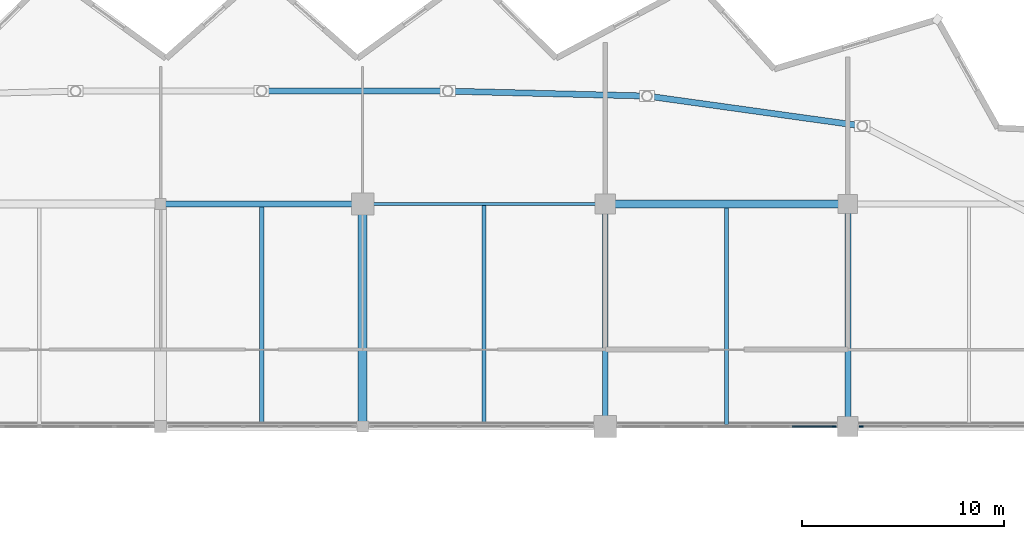
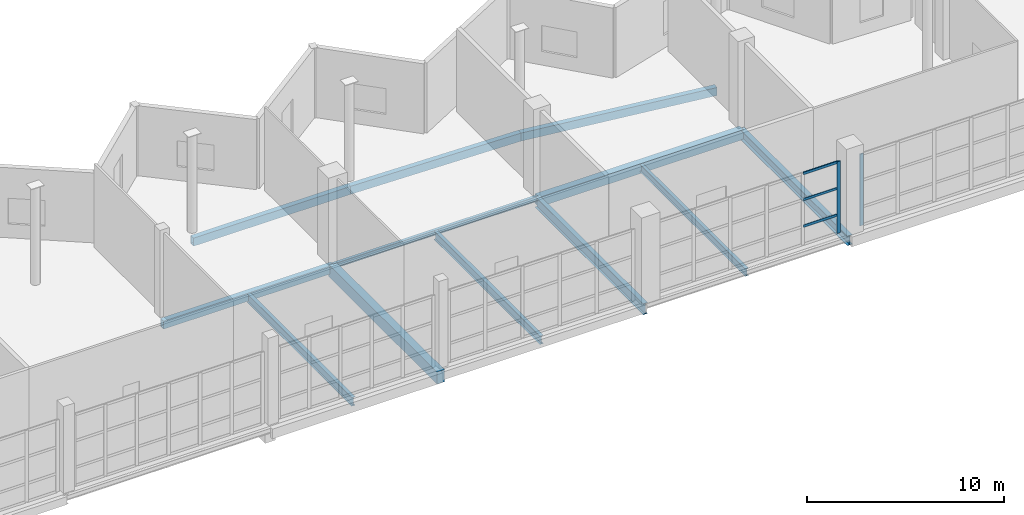
# One storey, part 27 of 49: 12 beams, 5 members, 2 elements without a shape of their own.
"""IFC4 building model written with IfcOpenShell, lengths in metres."""

from ifc_helpers import new_model, si_unit, direction, frame, origin, origin_2d, place, context, subcontext, project, spatial, rectangle, hollow_rectangle, i_section, extrude, material, material_profile, profile_set, type_object, element, aggregate, save


model = new_model("IFC4")

# Units and contexts
model_context = context("Model", 3, precision=1e-05, world=origin(), true_north=direction((0.0, 1.0)))
body_context = subcontext(model_context, "Body", "Model", "MODEL_VIEW")
ifc_project = project(units=[si_unit("LENGTHUNIT", "METRE"), si_unit("AREAUNIT", "SQUARE_METRE"), si_unit("VOLUMEUNIT", "CUBIC_METRE"), si_unit("PLANEANGLEUNIT", "RADIAN"), si_unit("MASSUNIT", "GRAM", prefix="KILO")], contexts=[model_context])

# Site, building, storey
site_placement = place(None, origin())
site = spatial("IfcSite", under=ifc_project, at=site_placement, CompositionType="ELEMENT")
building_placement = place(site_placement, origin())
building = spatial("IfcBuilding", under=site, at=building_placement, Name="Luwafu Chhajja Arena", CompositionType="ELEMENT")
storey_placement = place(building_placement, frame((0.0, 0.0, 24.300048828125)))
storey = spatial("IfcBuildingStorey", under=building, at=storey_placement, Name="L05", CompositionType="ELEMENT", Elevation=24.300048828125)

# Curtain wall, member
ifc_material_1 = material(Name="Anodised bronze aluminium", Category="aluminium")
curtain_wall_type = type_object("IfcCurtainWallType", Name="VIP Club Terrace Curtain Wall", PredefinedType="USERDEFINED", material=ifc_material_1)
curtain_wall_1_placement = place(storey_placement, origin())
curtain_wall_1 = element("IfcCurtainWall", 1, at=curtain_wall_1_placement, inside=storey, type_object=curtain_wall_type, Name="L05 Bowl Viewing Curtain Wall CWR-L05-13", ObjectType="CURTAIN WALL", PredefinedType="USERDEFINED")
ifc_material_profile_1 = material_profile(ifc_material_1, rectangle(XDim=0.06494140625, YDim=0.199951171875, at=origin_2d()), Name="CWM 65x200")
ifc_profile_set_1 = profile_set([ifc_material_profile_1], Name="Anodised bronze aluminium")
member_type_1 = type_object("IfcMemberType", Name="Bronze Curtain Wall Mullion 65x200", PredefinedType="MULLION", material=ifc_profile_set_1)
member_1_placement = place(storey_placement, frame((127.327392578125, 77.0, 0.0), z_axis=(0.0, 0.0, 1.0), x_axis=(0.0, 1.0, 0.0)))
member_1 = element("IfcMember", 2, at=member_1_placement, type_object=member_type_1, Name="CW-10 mullion 6", PredefinedType="MULLION", context=body_context, shape_type="SweptSolid", body=[
    extrude(rectangle(XDim=0.06494140625, YDim=0.199951171875, at=origin_2d()), origin(), (0.0, 0.0, 1.0), 4.449951171875),
])

curtain_wall_2_placement = place(storey_placement, origin())
curtain_wall_2 = element("IfcCurtainWall", 3, at=curtain_wall_2_placement, inside=storey, type_object=curtain_wall_type, Name="L05 Bowl Viewing Curtain Wall CWR-L05-14", ObjectType="CURTAIN WALL", PredefinedType="USERDEFINED")
member_2_placement = place(storey_placement, frame((128.672607421875, 77.0, 0.0), z_axis=(0.0, 0.0, 1.0), x_axis=(0.0, 1.0, 0.0)))
member_2 = element("IfcMember", 4, at=member_2_placement, type_object=member_type_1, Name="CW-10 mullion 1", PredefinedType="MULLION", context=body_context, shape_type="SweptSolid", body=[
    extrude(rectangle(XDim=0.06494140625, YDim=0.199951171875, at=origin_2d()), origin(), (0.0, 0.0, 1.0), 4.449951171875),
])
aggregate(curtain_wall_2, [member_2])

# Member
ifc_material_profile_2 = material_profile(ifc_material_1, rectangle(XDim=0.06494140625, YDim=0.14990234375, at=origin_2d()), Name="CWT 65x150")
ifc_profile_set_2 = profile_set([ifc_material_profile_2], Name="Anodised bronze aluminium")
member_type_2 = type_object("IfcMemberType", Name="Bronze Curtain Wall Transom 65x150", PredefinedType="USERDEFINED", material=ifc_profile_set_2)
member_3_placement = place(storey_placement, frame((125.258544921875, 77.0, 1.14990234375), z_axis=(1.0, 0.0, 0.0), x_axis=(0.0, 1.0, 0.0)))
member_3 = element("IfcMember", 5, at=member_3_placement, type_object=member_type_2, Name="CW-10 transom 5.2", ObjectType="TRANSOM", PredefinedType="USERDEFINED", context=body_context, shape_type="SweptSolid", body=[
    extrude(rectangle(XDim=0.06494140625, YDim=0.14990234375, at=origin_2d()), origin(), (0.0, 0.0, 1.0), 2.036376953125),
])

member_4_placement = place(storey_placement, frame((125.258544921875, 77.0, 2.800048828125), z_axis=(1.0, 0.0, 0.0), x_axis=(0.0, 1.0, 0.0)))
member_4 = element("IfcMember", 6, at=member_4_placement, type_object=member_type_2, Name="CW-10 transom 5.3", ObjectType="TRANSOM", PredefinedType="USERDEFINED", context=body_context, shape_type="SweptSolid", body=[
    extrude(rectangle(XDim=0.06494140625, YDim=0.14990234375, at=origin_2d()), origin(), (0.0, 0.0, 1.0), 2.036376953125),
])

member_5_placement = place(storey_placement, frame((125.258544921875, 77.0, 4.41748046875), z_axis=(1.0, 0.0, 0.0), x_axis=(0.0, 1.0, 0.0)))
member_5 = element("IfcMember", 7, at=member_5_placement, type_object=member_type_2, Name="CW-10 transom 5.4", ObjectType="TRANSOM", PredefinedType="USERDEFINED", context=body_context, shape_type="SweptSolid", body=[
    extrude(rectangle(XDim=0.06494140625, YDim=0.14990234375, at=origin_2d()), origin(), (0.0, 0.0, 1.0), 2.036376953125),
])

aggregate(curtain_wall_1, [member_1, member_3, member_4, member_5])

# Beams
ifc_material_2 = material(Name="Steel S355", Category="steel")
ifc_material_profile_3 = material_profile(ifc_material_2, i_section(OverallWidth=0.165771484375, OverallDepth=0.306640625, WebThickness=0.006591796875, FlangeThickness=0.01171875, at=origin_2d()), Name="UB 305x165x46")
ifc_profile_set_3 = profile_set([ifc_material_profile_3], Name="Steel S355")
beam_type_1 = type_object("IfcBeamType", Name="Concourse Edge Spandrel Beam UB 305x165x46", PredefinedType="SPANDREL", material=ifc_profile_set_3)
beam_1_placement = place(storey_placement, frame((104.0, 88.0, -0.54345703125), z_axis=(1.0, 0.0, 0.0), x_axis=(0.0, 1.0, 0.0)))
element("IfcBeam", 8, at=beam_1_placement, inside=storey, type_object=beam_type_1, Name="L05 Grid Beam 10-11/J", PredefinedType="SPANDREL", context=body_context, shape_type="SweptSolid", body=[
    extrude(i_section(OverallWidth=0.165771484375, OverallDepth=0.306640625, WebThickness=0.006591796875, FlangeThickness=0.01171875, at=origin_2d()), origin(), (0.0, 0.0, 1.0), 12.0),
])
ifc_material_profile_4 = material_profile(ifc_material_2, i_section(OverallWidth=0.19140625, OverallDepth=0.4599609375, WebThickness=0.010009765625, FlangeThickness=0.01611328125, at=origin_2d()), Name="UB 457x191x82")
ifc_profile_set_4 = profile_set([ifc_material_profile_4], Name="Steel S355")
beam_type_2 = type_object("IfcBeamType", Name="Floor Joist UB 457x191x82", PredefinedType="JOIST", material=ifc_profile_set_4)
beam_2_placement = place(storey_placement, frame((122.0, 77.082763671875, -0.6201171875), z_axis=(0.0, 1.0, 0.0), x_axis=(-1.0, 0.0, 0.0)))
element("IfcBeam", 9, at=beam_2_placement, inside=storey, type_object=beam_type_2, Name="L05 Secondary Joist 11-12/H", PredefinedType="JOIST", context=body_context, shape_type="SweptSolid", body=[
    extrude(i_section(OverallWidth=0.19140625, OverallDepth=0.4599609375, WebThickness=0.010009765625, FlangeThickness=0.01611328125, at=origin_2d()), origin(), (0.0, 0.0, 1.0), 10.71728515625),
])
ifc_material_profile_5 = material_profile(ifc_material_2, i_section(OverallWidth=0.2099609375, OverallDepth=0.53662109375, WebThickness=0.0107421875, FlangeThickness=0.017333984375, at=origin_2d()), Name="UB 533x210x101")
ifc_profile_set_5 = profile_set([ifc_material_profile_5], Name="Steel S355")
beam_type_3 = type_object("IfcBeamType", Name="Floor Joist UB 533x210x101", PredefinedType="JOIST", material=ifc_profile_set_5)
beam_3_placement = place(storey_placement, frame((99.0, 77.199951171875, -0.658447265625), z_axis=(0.0, 1.0, 0.0), x_axis=(-1.0, 0.0, 0.0)))
element("IfcBeam", 10, at=beam_3_placement, inside=storey, type_object=beam_type_3, Name="L05 Secondary Joist 9-10/H", PredefinedType="JOIST", context=body_context, shape_type="SweptSolid", body=[
    extrude(i_section(OverallWidth=0.2099609375, OverallDepth=0.53662109375, WebThickness=0.0107421875, FlangeThickness=0.017333984375, at=origin_2d()), origin(), (0.0, 0.0, 1.0), 10.650146484375),
])
ifc_material_profile_6 = material_profile(ifc_material_2, i_section(OverallWidth=0.209228515625, OverallDepth=0.533203125, WebThickness=0.010009765625, FlangeThickness=0.015625, at=origin_2d()), Name="UB 533x210x92")
ifc_profile_set_6 = profile_set([ifc_material_profile_6], Name="Steel S355")
beam_type_4 = type_object("IfcBeamType", Name="Floor Joist UB 533x210x92", PredefinedType="JOIST", material=ifc_profile_set_6)
beam_4_placement = place(storey_placement, frame((110.0, 77.14990234375, -0.656494140625), z_axis=(0.0, 1.0, 0.0), x_axis=(-1.0, 0.0, 0.0)))
element("IfcBeam", 11, at=beam_4_placement, inside=storey, type_object=beam_type_4, Name="L05 Secondary Joist 10-11/H", PredefinedType="JOIST", context=body_context, shape_type="SweptSolid", body=[
    extrude(i_section(OverallWidth=0.209228515625, OverallDepth=0.533203125, WebThickness=0.010009765625, FlangeThickness=0.015625, at=origin_2d()), origin(), (0.0, 0.0, 1.0), 10.767333984375),
])
ifc_material_profile_7 = material_profile(ifc_material_2, hollow_rectangle(XDim=0.300048828125, YDim=0.5, WallThickness=0.02001953125, at=origin_2d()), Name="RHS 500x300x20")
ifc_profile_set_7 = profile_set([ifc_material_profile_7], Name="Steel S355")
beam_type_5 = type_object("IfcBeamType", Name="Pleated Drum Spandrel Beam RHS 500x300", PredefinedType="SPANDREL", material=ifc_profile_set_7)
beam_5_placement = place(storey_placement, frame((94.0, 88.0, -0.64013671875), z_axis=(1.0, 0.0, 0.0), x_axis=(0.0, 1.0, 0.0)))
element("IfcBeam", 12, at=beam_5_placement, inside=storey, type_object=beam_type_5, Name="L05 Grid Beam 9-10/J", PredefinedType="SPANDREL", context=body_context, shape_type="SweptSolid", body=[
    extrude(hollow_rectangle(XDim=0.300048828125, YDim=0.5, WallThickness=0.02001953125, at=origin_2d()), origin(), (0.0, 0.0, 1.0), 10.0),
])
beam_6_placement = place(storey_placement, frame((128.718017578125, 91.86279296875, -0.64013671875), z_axis=(-0.990458730054, 0.137809666058, 0.0), x_axis=(-0.137809666058, -0.990458730054, 0.0)))
element("IfcBeam", 13, at=beam_6_placement, inside=storey, type_object=beam_type_5, Name="L05 Drum Ring Spandrel D06-D07", PredefinedType="SPANDREL", context=body_context, shape_type="SweptSolid", body=[
    extrude(hollow_rectangle(XDim=0.300048828125, YDim=0.5, WallThickness=0.02001953125, at=origin_2d()), origin(), (0.0, 0.0, 1.0), 10.75341796875),
])
beam_7_placement = place(storey_placement, frame((118.067138671875, 93.3447265625, -0.64013671875), z_axis=(-0.999695420837, 0.024679253567, 0.0), x_axis=(-0.024679253567, -0.999695420837, 0.0)))
element("IfcBeam", 14, at=beam_7_placement, inside=storey, type_object=beam_type_5, Name="L05 Drum Ring Spandrel D07-D08", PredefinedType="SPANDREL", context=body_context, shape_type="SweptSolid", body=[
    extrude(hollow_rectangle(XDim=0.300048828125, YDim=0.5, WallThickness=0.02001953125, at=origin_2d()), origin(), (0.0, 0.0, 1.0), 9.86279296875),
])
beam_8_placement = place(storey_placement, frame((108.207275390625, 93.588134765625, -0.64013671875), z_axis=(-0.999999155928, 0.001299285621, 0.0), x_axis=(-0.001299285621, -0.999999155928, 0.0)))
element("IfcBeam", 15, at=beam_8_placement, inside=storey, type_object=beam_type_5, Name="L05 Drum Ring Spandrel D08-D09", PredefinedType="SPANDREL", context=body_context, shape_type="SweptSolid", body=[
    extrude(hollow_rectangle(XDim=0.300048828125, YDim=0.5, WallThickness=0.02001953125, at=origin_2d()), origin(), (0.0, 0.0, 1.0), 9.207275390625),
])
ifc_material_3 = material(Name="Concrete C35/45", Category="concrete")
ifc_material_profile_8 = material_profile(ifc_material_3, rectangle(XDim=0.39990234375, YDim=0.60009765625, at=origin_2d()), Name="RC 400x600")
ifc_profile_set_8 = profile_set([ifc_material_profile_8], Name="Concrete C35/45")
beam_type_6 = type_object("IfcBeamType", Name="Podium Perimeter Spandrel RC 400x600", PredefinedType="SPANDREL", material=ifc_profile_set_8)
beam_9_placement = place(storey_placement, frame((116.0, 88.0, -0.68994140625), z_axis=(1.0, 0.0, 0.0), x_axis=(0.0, 1.0, 0.0)))
element("IfcBeam", 16, at=beam_9_placement, inside=storey, type_object=beam_type_6, Name="L05 Grid Beam 11-12/J", PredefinedType="SPANDREL", context=body_context, shape_type="SweptSolid", body=[
    extrude(rectangle(XDim=0.39990234375, YDim=0.60009765625, at=origin_2d()), origin(), (0.0, 0.0, 1.0), 12.0),
])
ifc_material_profile_9 = material_profile(ifc_material_2, i_section(OverallWidth=0.253662109375, OverallDepth=0.68359375, WebThickness=0.012451171875, FlangeThickness=0.01904296875, at=origin_2d()), Name="UB 686x254x140")
ifc_profile_set_9 = profile_set([ifc_material_profile_9], Name="Steel S355")
beam_type_7 = type_object("IfcBeamType", Name="Steel Concourse Girder UB 686x254x140", PredefinedType="BEAM", material=ifc_profile_set_9)
beam_10_placement = place(storey_placement, frame((116.0, 77.0, -0.73193359375), z_axis=(0.0, 1.0, 0.0), x_axis=(-1.0, 0.0, 0.0)))
element("IfcBeam", 17, at=beam_10_placement, inside=storey, type_object=beam_type_7, Name="L05 Grid Beam 11/H-J", PredefinedType="BEAM", context=body_context, shape_type="SweptSolid", body=[
    extrude(i_section(OverallWidth=0.253662109375, OverallDepth=0.68359375, WebThickness=0.012451171875, FlangeThickness=0.01904296875, at=origin_2d()), origin(), (0.0, 0.0, 1.0), 11.0),
])
ifc_material_profile_10 = material_profile(ifc_material_2, i_section(OverallWidth=0.300048828125, OverallDepth=0.60009765625, WebThickness=0.015380859375, FlangeThickness=0.030029296875, at=origin_2d()), Name="HEB 600")
ifc_profile_set_10 = profile_set([ifc_material_profile_10], Name="Steel S355")
beam_type_8 = type_object("IfcBeamType", Name="Steel Gallery Girder HEB 600", PredefinedType="BEAM", material=ifc_profile_set_10)
beam_11_placement = place(storey_placement, frame((128.0, 77.0, -0.68994140625), z_axis=(0.0, 1.0, 0.0), x_axis=(-1.0, 0.0, 0.0)))
element("IfcBeam", 18, at=beam_11_placement, inside=storey, type_object=beam_type_8, Name="L05 Grid Beam 12/H-J", PredefinedType="BEAM", context=body_context, shape_type="SweptSolid", body=[
    extrude(i_section(OverallWidth=0.300048828125, OverallDepth=0.60009765625, WebThickness=0.015380859375, FlangeThickness=0.030029296875, at=origin_2d()), origin(), (0.0, 0.0, 1.0), 11.0),
])
ifc_material_profile_11 = material_profile(ifc_material_3, rectangle(XDim=0.449951171875, YDim=0.75, at=origin_2d()), Name="RC 450x750")
ifc_profile_set_11 = profile_set([ifc_material_profile_11], Name="Concrete C35/45")
beam_type_9 = type_object("IfcBeamType", Name="Wing Primary Beam RC 450x750", PredefinedType="BEAM", material=ifc_profile_set_11)
beam_12_placement = place(storey_placement, frame((104.0, 77.0, -0.76513671875), z_axis=(0.0, 1.0, 0.0), x_axis=(-1.0, 0.0, 0.0)))
element("IfcBeam", 19, at=beam_12_placement, inside=storey, type_object=beam_type_9, Name="L05 Grid Beam 10/H-J", PredefinedType="BEAM", context=body_context, shape_type="SweptSolid", body=[
    extrude(rectangle(XDim=0.449951171875, YDim=0.75, at=origin_2d()), origin(), (0.0, 0.0, 1.0), 11.0),
])

save(model, "model.ifc")
